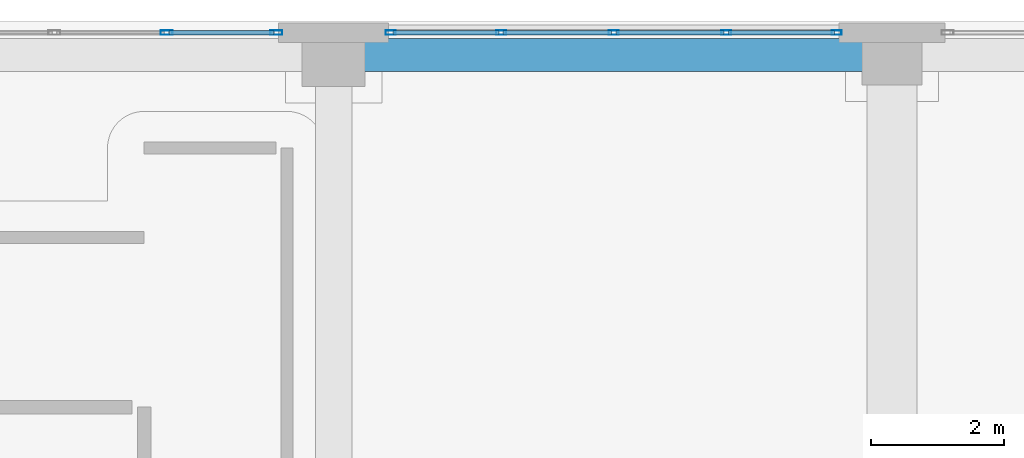
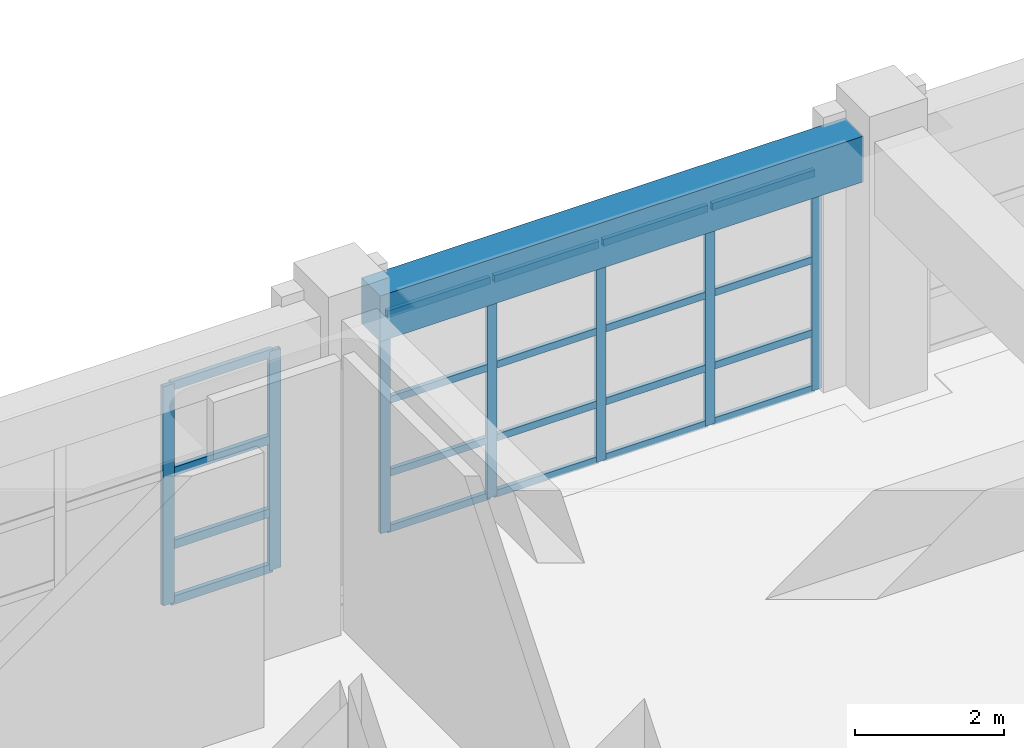
# One storey, part 62 of 123: 27 members, 1 beam, 2 elements without a shape of their own.
"""IFC4 building model written with IfcOpenShell, lengths in metres."""

from ifc_helpers import new_model, si_unit, direction, frame, origin, origin_2d, place, context, subcontext, project, spatial, rectangle, hollow_rectangle, extrude, material, layer, layer_set, material_profile, profile_set, type_object, element, aggregate, save


model = new_model("IFC4")

# Units and contexts
model_context = context("Model", 3, precision=1e-05, world=origin(), true_north=direction((0.0, 1.0)))
body_context = subcontext(model_context, "Body", "Model", "MODEL_VIEW")
ifc_project = project(units=[si_unit("LENGTHUNIT", "METRE"), si_unit("AREAUNIT", "SQUARE_METRE"), si_unit("VOLUMEUNIT", "CUBIC_METRE"), si_unit("PLANEANGLEUNIT", "RADIAN"), si_unit("MASSUNIT", "GRAM", prefix="KILO")], contexts=[model_context])

# Site, building, storey
site_placement = place(None, origin())
site = spatial("IfcSite", under=ifc_project, at=site_placement, CompositionType="ELEMENT")
building_placement = place(site_placement, origin())
building = spatial("IfcBuilding", under=site, at=building_placement, Name="Quendrovan Civic Courthouse", CompositionType="ELEMENT")
storey_placement = place(building_placement, frame((0.0, 0.0, 5.39990234375)))
storey = spatial("IfcBuildingStorey", under=building, at=storey_placement, Name="L02", CompositionType="ELEMENT", Elevation=5.39990234375)

# Beam
ifc_material_1 = material(Name="Concrete C40/50", Category="concrete")
ifc_material_profile_1 = material_profile(ifc_material_1, rectangle(XDim=0.5, YDim=0.75, at=origin_2d()), Name="RC-BM-500x750")
ifc_profile_set_1 = profile_set([ifc_material_profile_1], Name="Concrete C40/50")
beam_type = type_object("IfcBeamType", Name="BM-RC750", PredefinedType="SPANDREL", material=ifc_profile_set_1)
beam_placement = place(storey_placement, frame((67.655029296875, 109.89990234375, 3.985107421875), z_axis=(1.0, 0.0, 0.0), x_axis=(0.0, 1.0, 0.0)))
element("IfcBeam", 1, at=beam_placement, inside=storey, type_object=beam_type, Name="L02 Girder X0595", PredefinedType="SPANDREL", context=body_context, shape_type="SweptSolid", body=[
    extrude(rectangle(XDim=0.5, YDim=0.75, at=origin_2d()), origin(), (0.0, 0.0, 1.0), 7.514892578125),
])

# Curtain wall, members
ifc_material_2 = material(Name="Bronze anodised aluminium and low-E glass", Category="aluminium")
ifc_layer = layer(ifc_material_2, 0.179931640625, Name="Bronze anodised aluminium and low-E glass")
ifc_layer_set = layer_set([ifc_layer], Name="Bronze anodised aluminium and low-E glass")
curtain_wall_type = type_object("IfcCurtainWallType", Name="CW-U68x36", PredefinedType="USERDEFINED", material=ifc_layer_set)
curtain_wall_1_placement = place(storey_placement, origin())
curtain_wall_1 = element("IfcCurtainWall", 2, at=curtain_wall_1_placement, inside=storey, type_object=curtain_wall_type, Name="L02 Unitised Hurricane Curtain Wall CW-084", ObjectType="UNITISED CURTAIN WALL", PredefinedType="USERDEFINED")
ifc_material_3 = material(Name="Bronze anodised aluminium", Category="aluminium")
ifc_material_profile_2 = material_profile(ifc_material_3, hollow_rectangle(XDim=0.070068359375, YDim=0.179931640625, WallThickness=0.00390625, at=origin_2d()), Name="CW-MULL-70x180")
ifc_profile_set_2 = profile_set([ifc_material_profile_2], Name="Bronze anodised aluminium")
member_type_1 = type_object("IfcMemberType", Name="CW-MULL-A", PredefinedType="MULLION", material=ifc_profile_set_2)
member_1_placement = place(storey_placement, frame((64.6875, 110.235107421875, 0.0), z_axis=(0.0, 0.0, 1.0), x_axis=(0.0, 1.0, 0.0)))
member_1 = element("IfcMember", 3, at=member_1_placement, type_object=member_type_1, Name="CW-084 mullion 4", PredefinedType="MULLION", context=body_context, shape_type="SweptSolid", body=[
    extrude(hollow_rectangle(XDim=0.070068359375, YDim=0.179931640625, WallThickness=0.00390625, at=origin_2d()), origin(), (0.0, 0.0, 1.0), 3.60009765625),
])
member_2_placement = place(storey_placement, frame((66.340087890625, 110.235107421875, 0.0), z_axis=(0.0, 0.0, 1.0), x_axis=(0.0, 1.0, 0.0)))
member_2 = element("IfcMember", 4, at=member_2_placement, type_object=member_type_1, Name="CW-084 mullion 5", PredefinedType="MULLION", context=body_context, shape_type="SweptSolid", body=[
    extrude(hollow_rectangle(XDim=0.070068359375, YDim=0.179931640625, WallThickness=0.00390625, at=origin_2d()), origin(), (0.0, 0.0, 1.0), 3.60009765625),
])

curtain_wall_2_placement = place(storey_placement, origin())
curtain_wall_2 = element("IfcCurtainWall", 5, at=curtain_wall_2_placement, inside=storey, type_object=curtain_wall_type, Name="L02 Unitised Hurricane Curtain Wall CW-085", ObjectType="UNITISED CURTAIN WALL", PredefinedType="USERDEFINED")
ifc_material_profile_3 = material_profile(ifc_material_3, hollow_rectangle(XDim=0.06494140625, YDim=0.14990234375, WallThickness=0.00390625, at=origin_2d()), Name="CW-MULL-65x150")
ifc_profile_set_3 = profile_set([ifc_material_profile_3], Name="Bronze anodised aluminium")
member_type_2 = type_object("IfcMemberType", Name="CW-MULL-B", PredefinedType="MULLION", material=ifc_profile_set_3)
member_3_placement = place(storey_placement, frame((68.0576171875, 110.235107421875, 0.0), z_axis=(0.0, 0.0, 1.0), x_axis=(0.0, 1.0, 0.0)))
member_3 = element("IfcMember", 6, at=member_3_placement, type_object=member_type_2, Name="CW-085 mullion 1", PredefinedType="MULLION", context=body_context, shape_type="SweptSolid", body=[
    extrude(hollow_rectangle(XDim=0.06494140625, YDim=0.14990234375, WallThickness=0.00390625, at=origin_2d()), origin(), (0.0, 0.0, 1.0), 3.60009765625),
])
member_4_placement = place(storey_placement, frame((69.71875, 110.235107421875, 0.0), z_axis=(0.0, 0.0, 1.0), x_axis=(0.0, 1.0, 0.0)))
member_4 = element("IfcMember", 7, at=member_4_placement, type_object=member_type_2, Name="CW-085 mullion 2", PredefinedType="MULLION", context=body_context, shape_type="SweptSolid", body=[
    extrude(hollow_rectangle(XDim=0.06494140625, YDim=0.14990234375, WallThickness=0.00390625, at=origin_2d()), origin(), (0.0, 0.0, 1.0), 3.60009765625),
])
member_5_placement = place(storey_placement, frame((71.41259765625, 110.235107421875, 0.0), z_axis=(0.0, 0.0, 1.0), x_axis=(0.0, 1.0, 0.0)))
member_5 = element("IfcMember", 8, at=member_5_placement, type_object=member_type_2, Name="CW-085 mullion 3", PredefinedType="MULLION", context=body_context, shape_type="SweptSolid", body=[
    extrude(hollow_rectangle(XDim=0.06494140625, YDim=0.14990234375, WallThickness=0.00390625, at=origin_2d()), origin(), (0.0, 0.0, 1.0), 3.60009765625),
])
member_6_placement = place(storey_placement, frame((73.106201171875, 110.235107421875, 0.0), z_axis=(0.0, 0.0, 1.0), x_axis=(0.0, 1.0, 0.0)))
member_6 = element("IfcMember", 9, at=member_6_placement, type_object=member_type_2, Name="CW-085 mullion 4", PredefinedType="MULLION", context=body_context, shape_type="SweptSolid", body=[
    extrude(hollow_rectangle(XDim=0.06494140625, YDim=0.14990234375, WallThickness=0.00390625, at=origin_2d()), origin(), (0.0, 0.0, 1.0), 3.60009765625),
])
member_7_placement = place(storey_placement, frame((74.767578125, 110.235107421875, 0.0), z_axis=(0.0, 0.0, 1.0), x_axis=(0.0, 1.0, 0.0)))
member_7 = element("IfcMember", 10, at=member_7_placement, type_object=member_type_2, Name="CW-085 mullion 5", PredefinedType="MULLION", context=body_context, shape_type="SweptSolid", body=[
    extrude(hollow_rectangle(XDim=0.06494140625, YDim=0.14990234375, WallThickness=0.00390625, at=origin_2d()), origin(), (0.0, 0.0, 1.0), 3.60009765625),
])

# Member
ifc_material_profile_4 = material_profile(ifc_material_3, hollow_rectangle(XDim=0.070068359375, YDim=0.139892578125, WallThickness=0.00390625, at=origin_2d()), Name="CW-TRAN-70x140")
ifc_profile_set_4 = profile_set([ifc_material_profile_4], Name="Bronze anodised aluminium")
member_type_3 = type_object("IfcMemberType", Name="CW-TRAN-A", PredefinedType="USERDEFINED", material=ifc_profile_set_4)
member_8_placement = place(storey_placement, frame((64.722412109375, 110.235107421875, 0.03515625), z_axis=(1.0, 0.0, 0.0), x_axis=(0.0, 1.0, 0.0)))
member_8 = element("IfcMember", 11, at=member_8_placement, type_object=member_type_3, Name="CW-084 transom 4.1", ObjectType="TRANSOM", PredefinedType="USERDEFINED", context=body_context, shape_type="SweptSolid", body=[
    extrude(hollow_rectangle(XDim=0.070068359375, YDim=0.139892578125, WallThickness=0.00390625, at=origin_2d()), origin(), (0.0, 0.0, 1.0), 1.58251953125),
])

member_9_placement = place(storey_placement, frame((64.722412109375, 110.235107421875, 0.9501953125), z_axis=(1.0, 0.0, 0.0), x_axis=(0.0, 1.0, 0.0)))
member_9 = element("IfcMember", 12, at=member_9_placement, type_object=member_type_3, Name="CW-084 transom 4.2", ObjectType="TRANSOM", PredefinedType="USERDEFINED", context=body_context, shape_type="SweptSolid", body=[
    extrude(hollow_rectangle(XDim=0.070068359375, YDim=0.139892578125, WallThickness=0.00390625, at=origin_2d()), origin(), (0.0, 0.0, 1.0), 1.58251953125),
])

member_10_placement = place(storey_placement, frame((64.722412109375, 110.235107421875, 2.150146484375), z_axis=(1.0, 0.0, 0.0), x_axis=(0.0, 1.0, 0.0)))
member_10 = element("IfcMember", 13, at=member_10_placement, type_object=member_type_3, Name="CW-084 transom 4.3", ObjectType="TRANSOM", PredefinedType="USERDEFINED", context=body_context, shape_type="SweptSolid", body=[
    extrude(hollow_rectangle(XDim=0.070068359375, YDim=0.139892578125, WallThickness=0.00390625, at=origin_2d()), origin(), (0.0, 0.0, 1.0), 1.58251953125),
])

member_11_placement = place(storey_placement, frame((64.722412109375, 110.235107421875, 3.565185546875), z_axis=(1.0, 0.0, 0.0), x_axis=(0.0, 1.0, 0.0)))
member_11 = element("IfcMember", 14, at=member_11_placement, type_object=member_type_3, Name="CW-084 transom 4.4", ObjectType="TRANSOM", PredefinedType="USERDEFINED", context=body_context, shape_type="SweptSolid", body=[
    extrude(hollow_rectangle(XDim=0.070068359375, YDim=0.139892578125, WallThickness=0.00390625, at=origin_2d()), origin(), (0.0, 0.0, 1.0), 1.58251953125),
])

aggregate(curtain_wall_1, [member_1, member_2, member_8, member_9, member_10, member_11])

ifc_material_profile_5 = material_profile(ifc_material_3, hollow_rectangle(XDim=0.06494140625, YDim=0.114990234375, WallThickness=0.00390625, at=origin_2d()), Name="CW-TRAN-65x115")
ifc_profile_set_5 = profile_set([ifc_material_profile_5], Name="Bronze anodised aluminium")
member_type_4 = type_object("IfcMemberType", Name="CW-TRAN-B", PredefinedType="USERDEFINED", material=ifc_profile_set_5)
member_12_placement = place(storey_placement, frame((68.090087890625, 110.235107421875, 0.03271484375), z_axis=(1.0, 0.0, 0.0), x_axis=(0.0, 1.0, 0.0)))
member_12 = element("IfcMember", 15, at=member_12_placement, type_object=member_type_4, Name="CW-085 transom 1.1", ObjectType="TRANSOM", PredefinedType="USERDEFINED", context=body_context, shape_type="SweptSolid", body=[
    extrude(hollow_rectangle(XDim=0.06494140625, YDim=0.114990234375, WallThickness=0.00390625, at=origin_2d()), origin(), (0.0, 0.0, 1.0), 1.59619140625),
])

member_13_placement = place(storey_placement, frame((68.090087890625, 110.235107421875, 0.9501953125), z_axis=(1.0, 0.0, 0.0), x_axis=(0.0, 1.0, 0.0)))
member_13 = element("IfcMember", 16, at=member_13_placement, type_object=member_type_4, Name="CW-085 transom 1.2", ObjectType="TRANSOM", PredefinedType="USERDEFINED", context=body_context, shape_type="SweptSolid", body=[
    extrude(hollow_rectangle(XDim=0.06494140625, YDim=0.114990234375, WallThickness=0.00390625, at=origin_2d()), origin(), (0.0, 0.0, 1.0), 1.59619140625),
])

member_14_placement = place(storey_placement, frame((68.090087890625, 110.235107421875, 2.150146484375), z_axis=(1.0, 0.0, 0.0), x_axis=(0.0, 1.0, 0.0)))
member_14 = element("IfcMember", 17, at=member_14_placement, type_object=member_type_4, Name="CW-085 transom 1.3", ObjectType="TRANSOM", PredefinedType="USERDEFINED", context=body_context, shape_type="SweptSolid", body=[
    extrude(hollow_rectangle(XDim=0.06494140625, YDim=0.114990234375, WallThickness=0.00390625, at=origin_2d()), origin(), (0.0, 0.0, 1.0), 1.59619140625),
])

member_15_placement = place(storey_placement, frame((68.090087890625, 110.235107421875, 3.567626953125), z_axis=(1.0, 0.0, 0.0), x_axis=(0.0, 1.0, 0.0)))
member_15 = element("IfcMember", 18, at=member_15_placement, type_object=member_type_4, Name="CW-085 transom 1.4", ObjectType="TRANSOM", PredefinedType="USERDEFINED", context=body_context, shape_type="SweptSolid", body=[
    extrude(hollow_rectangle(XDim=0.06494140625, YDim=0.114990234375, WallThickness=0.00390625, at=origin_2d()), origin(), (0.0, 0.0, 1.0), 1.59619140625),
])

member_16_placement = place(storey_placement, frame((69.751220703125, 110.235107421875, 0.03271484375), z_axis=(1.0, 0.0, 0.0), x_axis=(0.0, 1.0, 0.0)))
member_16 = element("IfcMember", 19, at=member_16_placement, type_object=member_type_4, Name="CW-085 transom 2.1", ObjectType="TRANSOM", PredefinedType="USERDEFINED", context=body_context, shape_type="SweptSolid", body=[
    extrude(hollow_rectangle(XDim=0.06494140625, YDim=0.114990234375, WallThickness=0.00390625, at=origin_2d()), origin(), (0.0, 0.0, 1.0), 1.628662109375),
])

member_17_placement = place(storey_placement, frame((69.751220703125, 110.235107421875, 0.9501953125), z_axis=(1.0, 0.0, 0.0), x_axis=(0.0, 1.0, 0.0)))
member_17 = element("IfcMember", 20, at=member_17_placement, type_object=member_type_4, Name="CW-085 transom 2.2", ObjectType="TRANSOM", PredefinedType="USERDEFINED", context=body_context, shape_type="SweptSolid", body=[
    extrude(hollow_rectangle(XDim=0.06494140625, YDim=0.114990234375, WallThickness=0.00390625, at=origin_2d()), origin(), (0.0, 0.0, 1.0), 1.628662109375),
])

member_18_placement = place(storey_placement, frame((69.751220703125, 110.235107421875, 2.150146484375), z_axis=(1.0, 0.0, 0.0), x_axis=(0.0, 1.0, 0.0)))
member_18 = element("IfcMember", 21, at=member_18_placement, type_object=member_type_4, Name="CW-085 transom 2.3", ObjectType="TRANSOM", PredefinedType="USERDEFINED", context=body_context, shape_type="SweptSolid", body=[
    extrude(hollow_rectangle(XDim=0.06494140625, YDim=0.114990234375, WallThickness=0.00390625, at=origin_2d()), origin(), (0.0, 0.0, 1.0), 1.628662109375),
])

member_19_placement = place(storey_placement, frame((69.751220703125, 110.235107421875, 3.567626953125), z_axis=(1.0, 0.0, 0.0), x_axis=(0.0, 1.0, 0.0)))
member_19 = element("IfcMember", 22, at=member_19_placement, type_object=member_type_4, Name="CW-085 transom 2.4", ObjectType="TRANSOM", PredefinedType="USERDEFINED", context=body_context, shape_type="SweptSolid", body=[
    extrude(hollow_rectangle(XDim=0.06494140625, YDim=0.114990234375, WallThickness=0.00390625, at=origin_2d()), origin(), (0.0, 0.0, 1.0), 1.628662109375),
])

member_20_placement = place(storey_placement, frame((71.445068359375, 110.235107421875, 0.03271484375), z_axis=(1.0, 0.0, 0.0), x_axis=(0.0, 1.0, 0.0)))
member_20 = element("IfcMember", 23, at=member_20_placement, type_object=member_type_4, Name="CW-085 transom 3.1", ObjectType="TRANSOM", PredefinedType="USERDEFINED", context=body_context, shape_type="SweptSolid", body=[
    extrude(hollow_rectangle(XDim=0.06494140625, YDim=0.114990234375, WallThickness=0.00390625, at=origin_2d()), origin(), (0.0, 0.0, 1.0), 1.628662109375),
])

member_21_placement = place(storey_placement, frame((71.445068359375, 110.235107421875, 0.9501953125), z_axis=(1.0, 0.0, 0.0), x_axis=(0.0, 1.0, 0.0)))
member_21 = element("IfcMember", 24, at=member_21_placement, type_object=member_type_4, Name="CW-085 transom 3.2", ObjectType="TRANSOM", PredefinedType="USERDEFINED", context=body_context, shape_type="SweptSolid", body=[
    extrude(hollow_rectangle(XDim=0.06494140625, YDim=0.114990234375, WallThickness=0.00390625, at=origin_2d()), origin(), (0.0, 0.0, 1.0), 1.628662109375),
])

member_22_placement = place(storey_placement, frame((71.445068359375, 110.235107421875, 2.150146484375), z_axis=(1.0, 0.0, 0.0), x_axis=(0.0, 1.0, 0.0)))
member_22 = element("IfcMember", 25, at=member_22_placement, type_object=member_type_4, Name="CW-085 transom 3.3", ObjectType="TRANSOM", PredefinedType="USERDEFINED", context=body_context, shape_type="SweptSolid", body=[
    extrude(hollow_rectangle(XDim=0.06494140625, YDim=0.114990234375, WallThickness=0.00390625, at=origin_2d()), origin(), (0.0, 0.0, 1.0), 1.628662109375),
])

member_23_placement = place(storey_placement, frame((71.445068359375, 110.235107421875, 3.567626953125), z_axis=(1.0, 0.0, 0.0), x_axis=(0.0, 1.0, 0.0)))
member_23 = element("IfcMember", 26, at=member_23_placement, type_object=member_type_4, Name="CW-085 transom 3.4", ObjectType="TRANSOM", PredefinedType="USERDEFINED", context=body_context, shape_type="SweptSolid", body=[
    extrude(hollow_rectangle(XDim=0.06494140625, YDim=0.114990234375, WallThickness=0.00390625, at=origin_2d()), origin(), (0.0, 0.0, 1.0), 1.628662109375),
])

member_24_placement = place(storey_placement, frame((73.138671875, 110.235107421875, 0.03271484375), z_axis=(1.0, 0.0, 0.0), x_axis=(0.0, 1.0, 0.0)))
member_24 = element("IfcMember", 27, at=member_24_placement, type_object=member_type_4, Name="CW-085 transom 4.1", ObjectType="TRANSOM", PredefinedType="USERDEFINED", context=body_context, shape_type="SweptSolid", body=[
    extrude(hollow_rectangle(XDim=0.06494140625, YDim=0.114990234375, WallThickness=0.00390625, at=origin_2d()), origin(), (0.0, 0.0, 1.0), 1.596435546875),
])

member_25_placement = place(storey_placement, frame((73.138671875, 110.235107421875, 0.9501953125), z_axis=(1.0, 0.0, 0.0), x_axis=(0.0, 1.0, 0.0)))
member_25 = element("IfcMember", 28, at=member_25_placement, type_object=member_type_4, Name="CW-085 transom 4.2", ObjectType="TRANSOM", PredefinedType="USERDEFINED", context=body_context, shape_type="SweptSolid", body=[
    extrude(hollow_rectangle(XDim=0.06494140625, YDim=0.114990234375, WallThickness=0.00390625, at=origin_2d()), origin(), (0.0, 0.0, 1.0), 1.596435546875),
])

member_26_placement = place(storey_placement, frame((73.138671875, 110.235107421875, 2.150146484375), z_axis=(1.0, 0.0, 0.0), x_axis=(0.0, 1.0, 0.0)))
member_26 = element("IfcMember", 29, at=member_26_placement, type_object=member_type_4, Name="CW-085 transom 4.3", ObjectType="TRANSOM", PredefinedType="USERDEFINED", context=body_context, shape_type="SweptSolid", body=[
    extrude(hollow_rectangle(XDim=0.06494140625, YDim=0.114990234375, WallThickness=0.00390625, at=origin_2d()), origin(), (0.0, 0.0, 1.0), 1.596435546875),
])

member_27_placement = place(storey_placement, frame((73.138671875, 110.235107421875, 3.567626953125), z_axis=(1.0, 0.0, 0.0), x_axis=(0.0, 1.0, 0.0)))
member_27 = element("IfcMember", 30, at=member_27_placement, type_object=member_type_4, Name="CW-085 transom 4.4", ObjectType="TRANSOM", PredefinedType="USERDEFINED", context=body_context, shape_type="SweptSolid", body=[
    extrude(hollow_rectangle(XDim=0.06494140625, YDim=0.114990234375, WallThickness=0.00390625, at=origin_2d()), origin(), (0.0, 0.0, 1.0), 1.596435546875),
])

aggregate(curtain_wall_2, [member_3, member_4, member_5, member_6, member_7, member_12, member_13, member_14, member_15, member_16, member_17, member_18, member_19, member_20, member_21, member_22, member_23, member_24, member_25, member_26, member_27])

save(model, "model.ifc")
